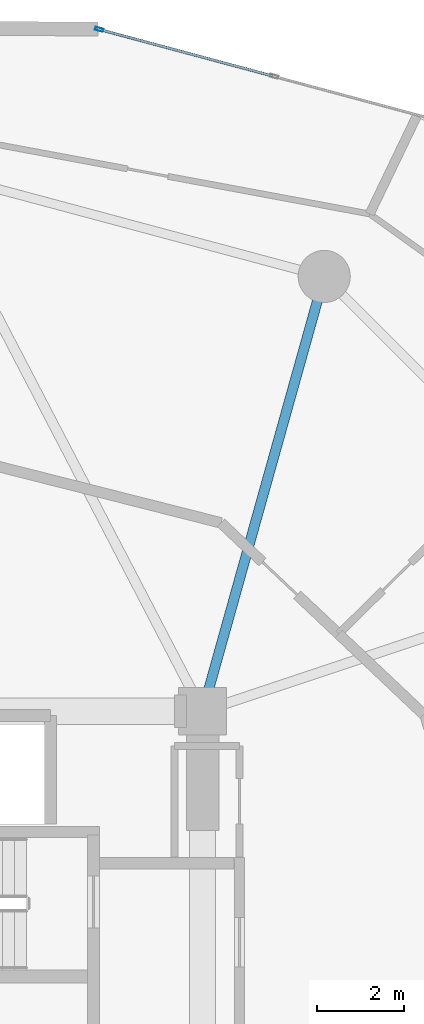
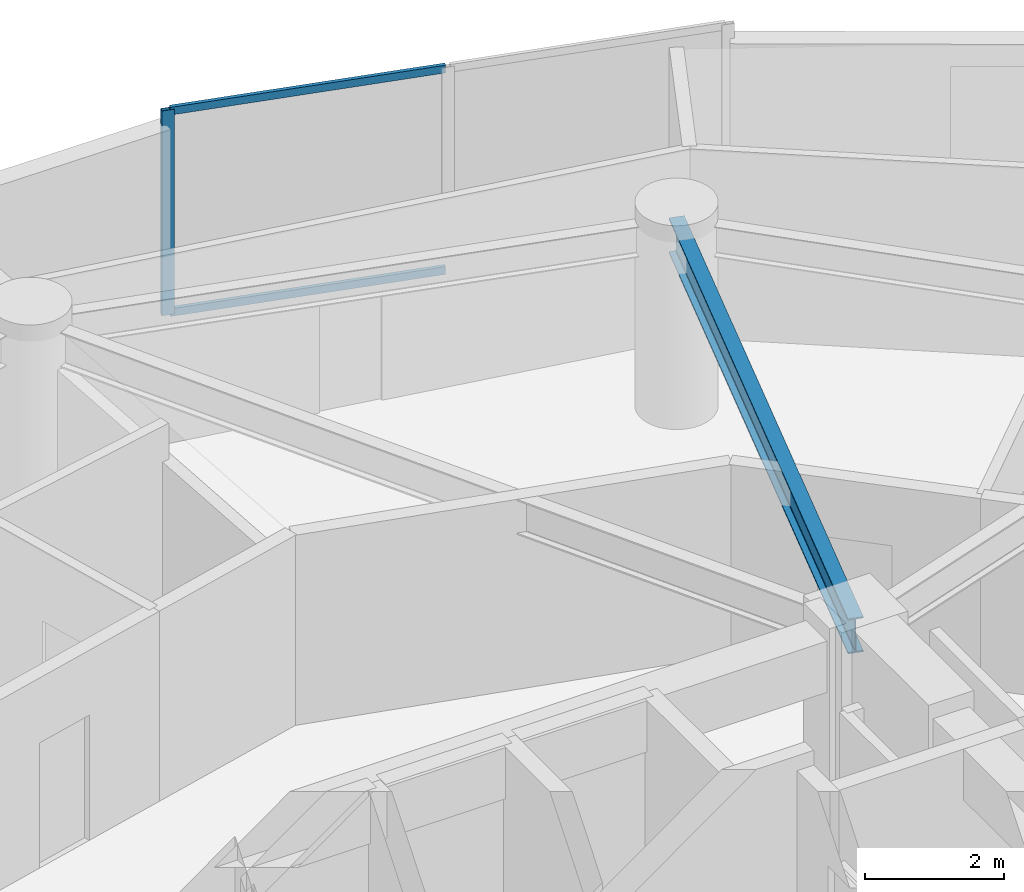
# One storey, part 13 of 23: 3 members, 1 beam, 1 element without a shape of its own.
"""IFC4 building model written with IfcOpenShell, lengths in metres."""

from ifc_helpers import new_model, si_unit, direction, frame, origin, origin_2d, place, context, subcontext, project, spatial, hollow_rectangle, i_section, extrude, source, transform, mapped, material, layer, layer_set, material_profile, profile_set, type_object, element, aggregate, save


model = new_model("IFC4")

# Units and contexts
model_context = context("Model", 3, precision=1e-05, world=origin(), true_north=direction((0.0, 1.0)))
body_context = subcontext(model_context, "Body", "Model", "MODEL_VIEW")
ifc_project = project(units=[si_unit("LENGTHUNIT", "METRE"), si_unit("AREAUNIT", "SQUARE_METRE"), si_unit("VOLUMEUNIT", "CUBIC_METRE"), si_unit("PLANEANGLEUNIT", "RADIAN"), si_unit("MASSUNIT", "GRAM", prefix="KILO")], contexts=[model_context])

# Site, building, storey
site_placement = place(None, origin())
site = spatial("IfcSite", under=ifc_project, at=site_placement, CompositionType="ELEMENT")
building_placement = place(site_placement, origin())
building = spatial("IfcBuilding", under=site, at=building_placement, Name="Solvirekh Grand Hotel", CompositionType="ELEMENT")
storey_placement = place(building_placement, frame((0.0, 0.0, 39.199951171875)))
storey = spatial("IfcBuildingStorey", under=building, at=storey_placement, Name="L08", CompositionType="ELEMENT", Elevation=39.199951171875)

# Beam
ifc_material_1 = material(Name="Steel S355", Category="steel")
ifc_material_profile_1 = material_profile(ifc_material_1, i_section(OverallWidth=0.22998046875, OverallDepth=0.615966796875, WebThickness=0.013916015625, FlangeThickness=0.02392578125, FilletRadius=0.014892578125, at=origin_2d()), Name="W610X174")
ifc_profile_set_1 = profile_set([ifc_material_profile_1], Name="Steel S355")
beam_type = type_object("IfcBeamType", Name="Beam_Primary_W610H", PredefinedType="BEAM", material=ifc_profile_set_1)
beam_placement = place(storey_placement, frame((6.5, 6.10009765625, 3.031982421875), z_axis=(0.269439084681, 0.963017434757, 0.0), x_axis=(-0.963017434757, 0.269439084681, 0.0)))
element("IfcBeam", 1, at=beam_placement, inside=storey, type_object=beam_type, Name="L08 radial floor beam R03", PredefinedType="BEAM", context=body_context, shape_type="SweptSolid", body=[
    extrude(i_section(OverallWidth=0.22998046875, OverallDepth=0.615966796875, WebThickness=0.013916015625, FlangeThickness=0.02392578125, FilletRadius=0.014892578125, at=origin_2d()), origin(), (0.0, 0.0, 1.0), 10.39208984375),
])

# Curtain wall, members
ifc_material_2 = material(Name="Anodized Bronze Aluminium 6063-T6", Category="aluminium")
ifc_layer = layer(ifc_material_2, 0.18994140625)
ifc_layer_set = layer_set([ifc_layer], Name="Anodized Bronze Aluminium 6063-T6")
curtain_wall_type = type_object("IfcCurtainWallType", Name="CW_Sys2_LowZoneFlushBronzeCW", PredefinedType="NOTDEFINED", material=ifc_layer_set)
curtain_wall_placement = place(storey_placement, origin())
curtain_wall = element("IfcCurtainWall", 2, at=curtain_wall_placement, inside=storey, type_object=curtain_wall_type, Name="L08 unitised bronze-glass curtain wall CW-L08-C05", PredefinedType="NOTDEFINED")
ifc_material_profile_2 = material_profile(ifc_material_2, hollow_rectangle(XDim=0.070068359375, YDim=0.18994140625, WallThickness=0.0048828125, at=origin_2d()), Name="ALU RHS 190X70X5")
ifc_profile_set_2 = profile_set([ifc_material_profile_2], Name="Anodized Bronze Aluminium 6063-T6")
member_type_1 = type_object("IfcMemberType", Name="CWMullion_Sys2", PredefinedType="MULLION", material=ifc_profile_set_2)
shared_shape_1 = source(origin(), body_context, "Body", "SweptSolid", [
    extrude(hollow_rectangle(XDim=0.070068359375, YDim=0.18994140625, WallThickness=0.0048828125, at=origin_2d()), origin(), (0.0, 0.0, 1.0), 3.60009765625),
])
member_1_placement = place(storey_placement, frame((4.123779296875, 21.7939453125, 0.0), z_axis=(0.0, 0.0, 1.0), x_axis=(-0.259363848145, -0.965779682058, 0.0)))
member_1 = element("IfcMember", 3, at=member_1_placement, type_object=member_type_1, Name="U02 mullion 3", PredefinedType="MULLION", context=body_context, shape_type="MappedRepresentation", body=[
    mapped(shared_shape_1, transform((0.0, 0.0, 0.0), x_axis=(1.0, 0.0, 0.0), y_axis=(0.0, 1.0, 0.0), z_axis=(0.0, 0.0, 1.0), scale=1.0)),
])
ifc_material_profile_3 = material_profile(ifc_material_2, hollow_rectangle(XDim=0.06005859375, YDim=0.135009765625, WallThickness=0.00390625, at=origin_2d()), Name="ALU RHS 135X60X4")
ifc_profile_set_3 = profile_set([ifc_material_profile_3], Name="Anodized Bronze Aluminium 6063-T6")
member_type_2 = type_object("IfcMemberType", Name="CWTransom_Sys2", PredefinedType="USERDEFINED", material=ifc_profile_set_3)
shared_shape_2 = source(origin(), body_context, "Body", "SweptSolid", [
    extrude(hollow_rectangle(XDim=0.06005859375, YDim=0.135009765625, WallThickness=0.00390625, at=origin_2d()), origin(), (0.0, 0.0, 1.0), 4.101318359375),
])
member_2_placement = place(storey_placement, frame((8.11865234375, 20.72119140625, 0.030029296875), z_axis=(-0.965779944489, 0.259362870941, 0.0), x_axis=(-0.259362870941, -0.965779944489, 0.0)))
member_2 = element("IfcMember", 4, at=member_2_placement, type_object=member_type_2, Name="U02 transom 2.1", ObjectType="TRANSOM", PredefinedType="USERDEFINED", context=body_context, shape_type="MappedRepresentation", body=[
    mapped(shared_shape_2, transform((0.0, 0.0, 0.0), x_axis=(1.0, 0.0, 0.0), y_axis=(0.0, 1.0, 0.0), z_axis=(0.0, 0.0, 1.0), scale=1.0)),
])
member_3_placement = place(storey_placement, frame((8.11865234375, 20.72119140625, 3.570068359375), z_axis=(-0.965779944489, 0.259362870941, 0.0), x_axis=(-0.259362870941, -0.965779944489, 0.0)))
member_3 = element("IfcMember", 5, at=member_3_placement, type_object=member_type_2, Name="U02 transom 2.2", ObjectType="TRANSOM", PredefinedType="USERDEFINED", context=body_context, shape_type="MappedRepresentation", body=[
    mapped(shared_shape_2, transform((0.0, 0.0, 0.0), x_axis=(1.0, 0.0, 0.0), y_axis=(0.0, 1.0, 0.0), z_axis=(0.0, 0.0, 1.0), scale=1.0)),
])
aggregate(curtain_wall, [member_1, member_2, member_3])

save(model, "model.ifc")
